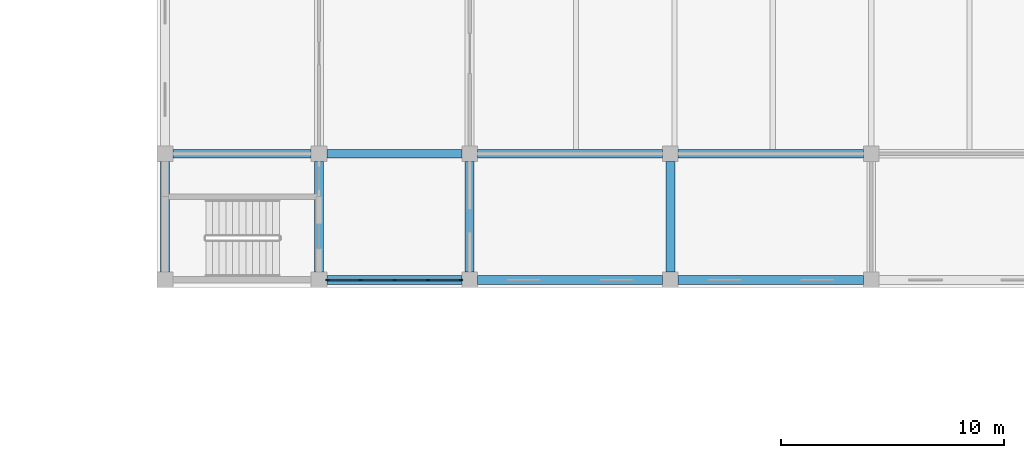
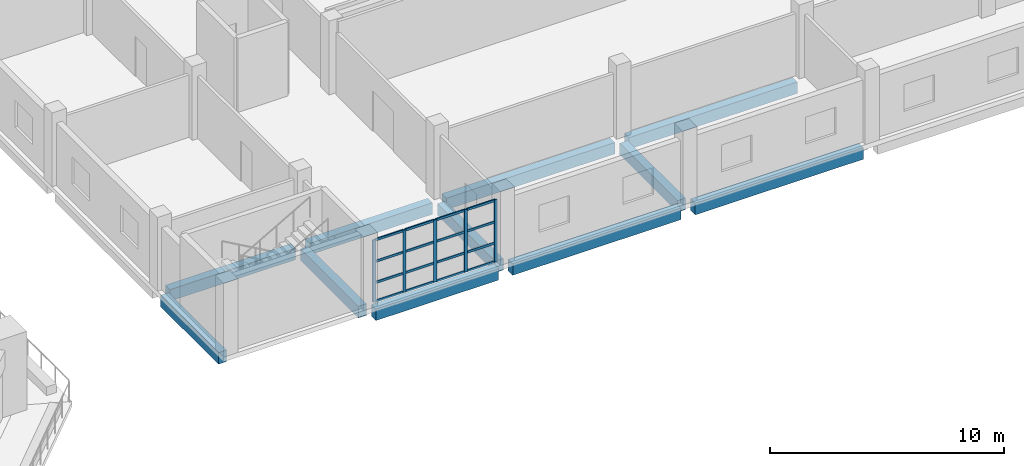
# One storey, part 2 of 42: 21 members, 11 beams, 1 element without a shape of its own.
"""IFC4 building model written with IfcOpenShell, lengths in metres."""

from ifc_helpers import new_model, si_unit, direction, frame, origin, origin_2d, place, context, subcontext, project, spatial, rectangle, extrude, material, layer, layer_set, material_profile, profile_set, type_object, element, aggregate, save


model = new_model("IFC4")

# Units and contexts
model_context = context("Model", 3, precision=1e-05, world=origin(), true_north=direction((0.0, 1.0)))
body_context = subcontext(model_context, "Body", "Model", "MODEL_VIEW")
ifc_project = project(units=[si_unit("LENGTHUNIT", "METRE"), si_unit("AREAUNIT", "SQUARE_METRE"), si_unit("VOLUMEUNIT", "CUBIC_METRE"), si_unit("PLANEANGLEUNIT", "RADIAN"), si_unit("MASSUNIT", "GRAM", prefix="KILO")], contexts=[model_context])

# Site, building, storey
site_placement = place(None, origin())
site = spatial("IfcSite", under=ifc_project, at=site_placement, CompositionType="ELEMENT")
building_placement = place(site_placement, origin())
building = spatial("IfcBuilding", under=site, at=building_placement, Name="Corbel Stack Research Tower", CompositionType="ELEMENT")
storey_placement = place(building_placement, frame((0.0, 0.0, 11.300048828125)))
storey = spatial("IfcBuildingStorey", under=building, at=storey_placement, Name="L02", CompositionType="ELEMENT", Elevation=11.300048828125)

# Curtain wall, members
ifc_material_1 = material(Name="Aluminium", Category="aluminium")
ifc_layer = layer(ifc_material_1, 0.14990234375)
ifc_layer_set = layer_set([ifc_layer], Name="Aluminium")
curtain_wall_type = type_object("IfcCurtainWallType", Name="CW5 main facade curtain wall", PredefinedType="NOTDEFINED", material=ifc_layer_set)
curtain_wall_placement = place(storey_placement, origin())
curtain_wall = element("IfcCurtainWall", 1, at=curtain_wall_placement, inside=storey, type_object=curtain_wall_type, Name="Main facade curtain wall L02 1", PredefinedType="NOTDEFINED")
ifc_material_2 = material(Name="Aluminium", Category="aluminium")
ifc_material_profile_1 = material_profile(ifc_material_2, rectangle(XDim=0.06005859375, YDim=0.159912109375, at=origin_2d()), Name="Mullion 60 x 160")
ifc_profile_set_1 = profile_set([ifc_material_profile_1], Name="Aluminium")
member_type_1 = type_object("IfcMemberType", Name="CW5 mullion 60 x 160", PredefinedType="MULLION", material=ifc_profile_set_1)
member_1_placement = place(storey_placement, frame((44.580078125, -23.64990234375, 0.0), z_axis=(0.0, 0.0, 1.0), x_axis=(0.0, 1.0, 0.0)))
member_1 = element("IfcMember", 2, at=member_1_placement, type_object=member_type_1, Name="CW5 mullion 1", PredefinedType="MULLION", context=body_context, shape_type="SweptSolid", body=[
    extrude(rectangle(XDim=0.06005859375, YDim=0.159912109375, at=origin_2d()), origin(), (0.0, 0.0, 1.0), 3.25),
])
member_2_placement = place(storey_placement, frame((46.0625, -23.64990234375, 0.0), z_axis=(0.0, 0.0, 1.0), x_axis=(0.0, 1.0, 0.0)))
member_2 = element("IfcMember", 3, at=member_2_placement, type_object=member_type_1, Name="CW5 mullion 2", PredefinedType="MULLION", context=body_context, shape_type="SweptSolid", body=[
    extrude(rectangle(XDim=0.06005859375, YDim=0.159912109375, at=origin_2d()), origin(), (0.0, 0.0, 1.0), 3.25),
])
member_3_placement = place(storey_placement, frame((47.574951171875, -23.64990234375, 0.0), z_axis=(0.0, 0.0, 1.0), x_axis=(0.0, 1.0, 0.0)))
member_3 = element("IfcMember", 4, at=member_3_placement, type_object=member_type_1, Name="CW5 mullion 3", PredefinedType="MULLION", context=body_context, shape_type="SweptSolid", body=[
    extrude(rectangle(XDim=0.06005859375, YDim=0.159912109375, at=origin_2d()), origin(), (0.0, 0.0, 1.0), 3.25),
])
member_4_placement = place(storey_placement, frame((49.08740234375, -23.64990234375, 0.0), z_axis=(0.0, 0.0, 1.0), x_axis=(0.0, 1.0, 0.0)))
member_4 = element("IfcMember", 5, at=member_4_placement, type_object=member_type_1, Name="CW5 mullion 4", PredefinedType="MULLION", context=body_context, shape_type="SweptSolid", body=[
    extrude(rectangle(XDim=0.06005859375, YDim=0.159912109375, at=origin_2d()), origin(), (0.0, 0.0, 1.0), 3.25),
])
member_5_placement = place(storey_placement, frame((50.570068359375, -23.64990234375, 0.0), z_axis=(0.0, 0.0, 1.0), x_axis=(0.0, 1.0, 0.0)))
member_5 = element("IfcMember", 6, at=member_5_placement, type_object=member_type_1, Name="CW5 mullion 5", PredefinedType="MULLION", context=body_context, shape_type="SweptSolid", body=[
    extrude(rectangle(XDim=0.06005859375, YDim=0.159912109375, at=origin_2d()), origin(), (0.0, 0.0, 1.0), 3.25),
])
ifc_material_3 = material(Name="Aluminium", Category="aluminium")
ifc_material_profile_2 = material_profile(ifc_material_3, rectangle(XDim=0.06005859375, YDim=0.1201171875, at=origin_2d()), Name="Transom 60 x 120")
ifc_profile_set_2 = profile_set([ifc_material_profile_2], Name="Aluminium")
member_type_2 = type_object("IfcMemberType", Name="CW5 transom 60 x 120", PredefinedType="USERDEFINED", material=ifc_profile_set_2)
member_6_placement = place(storey_placement, frame((44.610107421875, -23.64990234375, 0.030029296875), z_axis=(1.0, 0.0, 0.0), x_axis=(0.0, 1.0, 0.0)))
member_6 = element("IfcMember", 7, at=member_6_placement, type_object=member_type_2, Name="CW5 transom 1.1", ObjectType="TRANSOM", PredefinedType="USERDEFINED", context=body_context, shape_type="SweptSolid", body=[
    extrude(rectangle(XDim=0.06005859375, YDim=0.1201171875, at=origin_2d()), origin(), (0.0, 0.0, 1.0), 1.42236328125),
])
member_7_placement = place(storey_placement, frame((44.610107421875, -23.64990234375, 1.0), z_axis=(1.0, 0.0, 0.0), x_axis=(0.0, 1.0, 0.0)))
member_7 = element("IfcMember", 8, at=member_7_placement, type_object=member_type_2, Name="CW5 transom 1.2", ObjectType="TRANSOM", PredefinedType="USERDEFINED", context=body_context, shape_type="SweptSolid", body=[
    extrude(rectangle(XDim=0.06005859375, YDim=0.1201171875, at=origin_2d()), origin(), (0.0, 0.0, 1.0), 1.42236328125),
])
member_8_placement = place(storey_placement, frame((44.610107421875, -23.64990234375, 2.099853515625), z_axis=(1.0, 0.0, 0.0), x_axis=(0.0, 1.0, 0.0)))
member_8 = element("IfcMember", 9, at=member_8_placement, type_object=member_type_2, Name="CW5 transom 1.3", ObjectType="TRANSOM", PredefinedType="USERDEFINED", context=body_context, shape_type="SweptSolid", body=[
    extrude(rectangle(XDim=0.06005859375, YDim=0.1201171875, at=origin_2d()), origin(), (0.0, 0.0, 1.0), 1.42236328125),
])
member_9_placement = place(storey_placement, frame((44.610107421875, -23.64990234375, 3.219970703125), z_axis=(1.0, 0.0, 0.0), x_axis=(0.0, 1.0, 0.0)))
member_9 = element("IfcMember", 10, at=member_9_placement, type_object=member_type_2, Name="CW5 transom 1.4", ObjectType="TRANSOM", PredefinedType="USERDEFINED", context=body_context, shape_type="SweptSolid", body=[
    extrude(rectangle(XDim=0.06005859375, YDim=0.1201171875, at=origin_2d()), origin(), (0.0, 0.0, 1.0), 1.42236328125),
])
member_10_placement = place(storey_placement, frame((46.092529296875, -23.64990234375, 0.030029296875), z_axis=(1.0, 0.0, 0.0), x_axis=(0.0, 1.0, 0.0)))
member_10 = element("IfcMember", 11, at=member_10_placement, type_object=member_type_2, Name="CW5 transom 2.1", ObjectType="TRANSOM", PredefinedType="USERDEFINED", context=body_context, shape_type="SweptSolid", body=[
    extrude(rectangle(XDim=0.06005859375, YDim=0.1201171875, at=origin_2d()), origin(), (0.0, 0.0, 1.0), 1.452392578125),
])
member_11_placement = place(storey_placement, frame((46.092529296875, -23.64990234375, 1.0), z_axis=(1.0, 0.0, 0.0), x_axis=(0.0, 1.0, 0.0)))
member_11 = element("IfcMember", 12, at=member_11_placement, type_object=member_type_2, Name="CW5 transom 2.2", ObjectType="TRANSOM", PredefinedType="USERDEFINED", context=body_context, shape_type="SweptSolid", body=[
    extrude(rectangle(XDim=0.06005859375, YDim=0.1201171875, at=origin_2d()), origin(), (0.0, 0.0, 1.0), 1.452392578125),
])
member_12_placement = place(storey_placement, frame((46.092529296875, -23.64990234375, 2.099853515625), z_axis=(1.0, 0.0, 0.0), x_axis=(0.0, 1.0, 0.0)))
member_12 = element("IfcMember", 13, at=member_12_placement, type_object=member_type_2, Name="CW5 transom 2.3", ObjectType="TRANSOM", PredefinedType="USERDEFINED", context=body_context, shape_type="SweptSolid", body=[
    extrude(rectangle(XDim=0.06005859375, YDim=0.1201171875, at=origin_2d()), origin(), (0.0, 0.0, 1.0), 1.452392578125),
])
member_13_placement = place(storey_placement, frame((46.092529296875, -23.64990234375, 3.219970703125), z_axis=(1.0, 0.0, 0.0), x_axis=(0.0, 1.0, 0.0)))
member_13 = element("IfcMember", 14, at=member_13_placement, type_object=member_type_2, Name="CW5 transom 2.4", ObjectType="TRANSOM", PredefinedType="USERDEFINED", context=body_context, shape_type="SweptSolid", body=[
    extrude(rectangle(XDim=0.06005859375, YDim=0.1201171875, at=origin_2d()), origin(), (0.0, 0.0, 1.0), 1.452392578125),
])
member_14_placement = place(storey_placement, frame((47.60498046875, -23.64990234375, 0.030029296875), z_axis=(1.0, 0.0, 0.0), x_axis=(0.0, 1.0, 0.0)))
member_14 = element("IfcMember", 15, at=member_14_placement, type_object=member_type_2, Name="CW5 transom 3.1", ObjectType="TRANSOM", PredefinedType="USERDEFINED", context=body_context, shape_type="SweptSolid", body=[
    extrude(rectangle(XDim=0.06005859375, YDim=0.1201171875, at=origin_2d()), origin(), (0.0, 0.0, 1.0), 1.45263671875),
])
member_15_placement = place(storey_placement, frame((47.60498046875, -23.64990234375, 1.0), z_axis=(1.0, 0.0, 0.0), x_axis=(0.0, 1.0, 0.0)))
member_15 = element("IfcMember", 16, at=member_15_placement, type_object=member_type_2, Name="CW5 transom 3.2", ObjectType="TRANSOM", PredefinedType="USERDEFINED", context=body_context, shape_type="SweptSolid", body=[
    extrude(rectangle(XDim=0.06005859375, YDim=0.1201171875, at=origin_2d()), origin(), (0.0, 0.0, 1.0), 1.45263671875),
])
member_16_placement = place(storey_placement, frame((47.60498046875, -23.64990234375, 2.099853515625), z_axis=(1.0, 0.0, 0.0), x_axis=(0.0, 1.0, 0.0)))
member_16 = element("IfcMember", 17, at=member_16_placement, type_object=member_type_2, Name="CW5 transom 3.3", ObjectType="TRANSOM", PredefinedType="USERDEFINED", context=body_context, shape_type="SweptSolid", body=[
    extrude(rectangle(XDim=0.06005859375, YDim=0.1201171875, at=origin_2d()), origin(), (0.0, 0.0, 1.0), 1.45263671875),
])
member_17_placement = place(storey_placement, frame((47.60498046875, -23.64990234375, 3.219970703125), z_axis=(1.0, 0.0, 0.0), x_axis=(0.0, 1.0, 0.0)))
member_17 = element("IfcMember", 18, at=member_17_placement, type_object=member_type_2, Name="CW5 transom 3.4", ObjectType="TRANSOM", PredefinedType="USERDEFINED", context=body_context, shape_type="SweptSolid", body=[
    extrude(rectangle(XDim=0.06005859375, YDim=0.1201171875, at=origin_2d()), origin(), (0.0, 0.0, 1.0), 1.45263671875),
])
member_18_placement = place(storey_placement, frame((49.117431640625, -23.64990234375, 0.030029296875), z_axis=(1.0, 0.0, 0.0), x_axis=(0.0, 1.0, 0.0)))
member_18 = element("IfcMember", 19, at=member_18_placement, type_object=member_type_2, Name="CW5 transom 4.1", ObjectType="TRANSOM", PredefinedType="USERDEFINED", context=body_context, shape_type="SweptSolid", body=[
    extrude(rectangle(XDim=0.06005859375, YDim=0.1201171875, at=origin_2d()), origin(), (0.0, 0.0, 1.0), 1.422607421875),
])
member_19_placement = place(storey_placement, frame((49.117431640625, -23.64990234375, 1.0), z_axis=(1.0, 0.0, 0.0), x_axis=(0.0, 1.0, 0.0)))
member_19 = element("IfcMember", 20, at=member_19_placement, type_object=member_type_2, Name="CW5 transom 4.2", ObjectType="TRANSOM", PredefinedType="USERDEFINED", context=body_context, shape_type="SweptSolid", body=[
    extrude(rectangle(XDim=0.06005859375, YDim=0.1201171875, at=origin_2d()), origin(), (0.0, 0.0, 1.0), 1.422607421875),
])
member_20_placement = place(storey_placement, frame((49.117431640625, -23.64990234375, 2.099853515625), z_axis=(1.0, 0.0, 0.0), x_axis=(0.0, 1.0, 0.0)))
member_20 = element("IfcMember", 21, at=member_20_placement, type_object=member_type_2, Name="CW5 transom 4.3", ObjectType="TRANSOM", PredefinedType="USERDEFINED", context=body_context, shape_type="SweptSolid", body=[
    extrude(rectangle(XDim=0.06005859375, YDim=0.1201171875, at=origin_2d()), origin(), (0.0, 0.0, 1.0), 1.422607421875),
])
member_21_placement = place(storey_placement, frame((49.117431640625, -23.64990234375, 3.219970703125), z_axis=(1.0, 0.0, 0.0), x_axis=(0.0, 1.0, 0.0)))
member_21 = element("IfcMember", 22, at=member_21_placement, type_object=member_type_2, Name="CW5 transom 4.4", ObjectType="TRANSOM", PredefinedType="USERDEFINED", context=body_context, shape_type="SweptSolid", body=[
    extrude(rectangle(XDim=0.06005859375, YDim=0.1201171875, at=origin_2d()), origin(), (0.0, 0.0, 1.0), 1.422607421875),
])
aggregate(curtain_wall, [member_1, member_2, member_3, member_4, member_5, member_6, member_7, member_8, member_9, member_10, member_11, member_12, member_13, member_14, member_15, member_16, member_17, member_18, member_19, member_20, member_21])

# Beams
ifc_material_4 = material(Name="Concrete C40/50", Category="concrete")
ifc_material_profile_3 = material_profile(ifc_material_4, rectangle(XDim=0.39990234375, YDim=0.60009765625, at=origin_2d()), Name="RC 400 x 600")
ifc_profile_set_3 = profile_set([ifc_material_profile_3], Name="Concrete C40/50")
beam_type = type_object("IfcBeamType", Name="HB1 RC beam 400 x 600", PredefinedType="BEAM", material=ifc_profile_set_3)
beam_1_placement = place(storey_placement, frame((37.300048828125, -23.300048828125, -0.550048828125), z_axis=(0.0, 1.0, 0.0), x_axis=(-1.0, 0.0, 0.0)))
element("IfcBeam", 23, at=beam_1_placement, inside=storey, type_object=beam_type, Name="Floor beam L02 H1HA-H1HB", PredefinedType="BEAM", context=body_context, shape_type="SweptSolid", body=[
    extrude(rectangle(XDim=0.39990234375, YDim=0.60009765625, at=origin_2d()), origin(), (0.0, 0.0, 1.0), 4.949951171875),
])
beam_2_placement = place(storey_placement, frame((37.64990234375, -18.0, -0.550048828125), z_axis=(1.0, 0.0, 0.0), x_axis=(0.0, 1.0, 0.0)))
element("IfcBeam", 24, at=beam_2_placement, inside=storey, type_object=beam_type, Name="Floor beam L02 H1HB-H2HB", PredefinedType="BEAM", context=body_context, shape_type="SweptSolid", body=[
    extrude(rectangle(XDim=0.39990234375, YDim=0.60009765625, at=origin_2d()), origin(), (0.0, 0.0, 1.0), 6.2001953125),
])
beam_3_placement = place(storey_placement, frame((44.550048828125, -23.64990234375, -0.550048828125), z_axis=(1.0, 0.0, 0.0), x_axis=(0.0, 1.0, 0.0)))
element("IfcBeam", 25, at=beam_3_placement, inside=storey, type_object=beam_type, Name="Floor beam L02 H2HA-H3HA", PredefinedType="BEAM", context=body_context, shape_type="SweptSolid", body=[
    extrude(rectangle(XDim=0.39990234375, YDim=0.60009765625, at=origin_2d()), origin(), (0.0, 0.0, 1.0), 6.050048828125),
])
beam_4_placement = place(storey_placement, frame((44.199951171875, -23.300048828125, -0.550048828125), z_axis=(0.0, 1.0, 0.0), x_axis=(-1.0, 0.0, 0.0)))
element("IfcBeam", 26, at=beam_4_placement, inside=storey, type_object=beam_type, Name="Floor beam L02 H2HA-H2HB", PredefinedType="BEAM", context=body_context, shape_type="SweptSolid", body=[
    extrude(rectangle(XDim=0.39990234375, YDim=0.60009765625, at=origin_2d()), origin(), (0.0, 0.0, 1.0), 4.949951171875),
])
beam_5_placement = place(storey_placement, frame((44.550048828125, -18.0, -0.550048828125), z_axis=(1.0, 0.0, 0.0), x_axis=(0.0, 1.0, 0.0)))
element("IfcBeam", 27, at=beam_5_placement, inside=storey, type_object=beam_type, Name="Floor beam L02 H2HB-H3HB", PredefinedType="BEAM", context=body_context, shape_type="SweptSolid", body=[
    extrude(rectangle(XDim=0.39990234375, YDim=0.60009765625, at=origin_2d()), origin(), (0.0, 0.0, 1.0), 6.050048828125),
])
beam_6_placement = place(storey_placement, frame((51.300048828125, -23.64990234375, -0.550048828125), z_axis=(1.0, 0.0, 0.0), x_axis=(0.0, 1.0, 0.0)))
element("IfcBeam", 28, at=beam_6_placement, inside=storey, type_object=beam_type, Name="Floor beam L02 H3HA-H4HA", PredefinedType="BEAM", context=body_context, shape_type="SweptSolid", body=[
    extrude(rectangle(XDim=0.39990234375, YDim=0.60009765625, at=origin_2d()), origin(), (0.0, 0.0, 1.0), 8.300048828125),
])
beam_7_placement = place(storey_placement, frame((50.949951171875, -23.300048828125, -0.550048828125), z_axis=(0.0, 1.0, 0.0), x_axis=(-1.0, 0.0, 0.0)))
element("IfcBeam", 29, at=beam_7_placement, inside=storey, type_object=beam_type, Name="Floor beam L02 H3HA-H3HB", PredefinedType="BEAM", context=body_context, shape_type="SweptSolid", body=[
    extrude(rectangle(XDim=0.39990234375, YDim=0.60009765625, at=origin_2d()), origin(), (0.0, 0.0, 1.0), 4.949951171875),
])
for number, where, z_axis, x_axis, name in (
    (30, (51.300048828125, -18.0, -0.550048828125), (1.0, 0.0, 0.0), (0.0, 1.0, 0.0), "Floor beam L02 H3HB-H4HB"),
    (31, (60.300048828125, -23.64990234375, -0.550048828125), (1.0, 0.0, 0.0), (0.0, 1.0, 0.0), "Floor beam L02 H4HA-H5HA"),
):
    element("IfcBeam", number, at=place(storey_placement, frame(where, z_axis=z_axis, x_axis=x_axis)), inside=storey, type_object=beam_type, Name=name, PredefinedType="BEAM", context=body_context, shape_type="SweptSolid", body=[
        extrude(rectangle(XDim=0.39990234375, YDim=0.60009765625, at=origin_2d()), origin(), (0.0, 0.0, 1.0), 8.300048828125),
    ])
beam_8_placement = place(storey_placement, frame((59.949951171875, -23.300048828125, -0.550048828125), z_axis=(0.0, 1.0, 0.0), x_axis=(-1.0, 0.0, 0.0)))
element("IfcBeam", 32, at=beam_8_placement, inside=storey, type_object=beam_type, Name="Floor beam L02 H4HA-H4HB", PredefinedType="BEAM", context=body_context, shape_type="SweptSolid", body=[
    extrude(rectangle(XDim=0.39990234375, YDim=0.60009765625, at=origin_2d()), origin(), (0.0, 0.0, 1.0), 4.949951171875),
])
beam_9_placement = place(storey_placement, frame((60.300048828125, -18.0, -0.550048828125), z_axis=(1.0, 0.0, 0.0), x_axis=(0.0, 1.0, 0.0)))
element("IfcBeam", 33, at=beam_9_placement, inside=storey, type_object=beam_type, Name="Floor beam L02 H4HB-H5HB", PredefinedType="BEAM", context=body_context, shape_type="SweptSolid", body=[
    extrude(rectangle(XDim=0.39990234375, YDim=0.60009765625, at=origin_2d()), origin(), (0.0, 0.0, 1.0), 8.300048828125),
])

save(model, "model.ifc")
